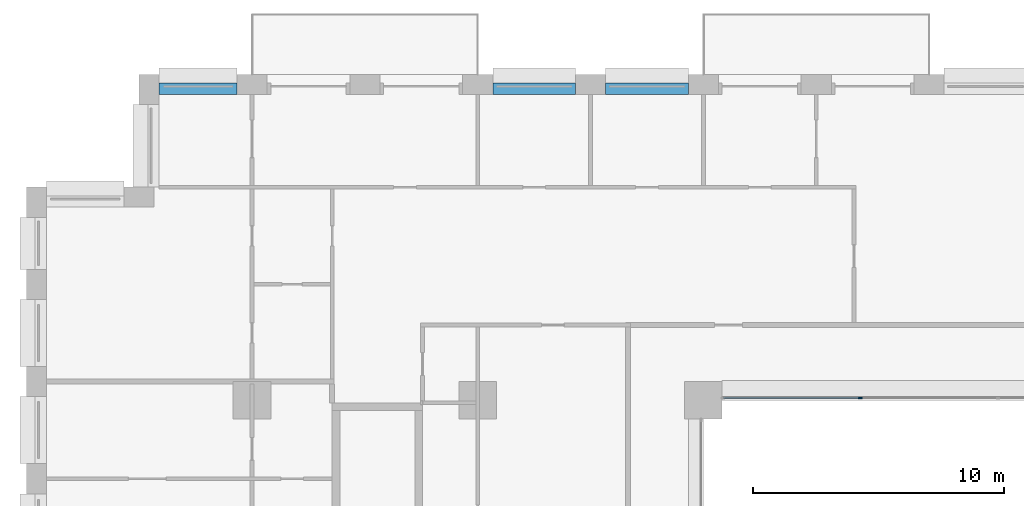
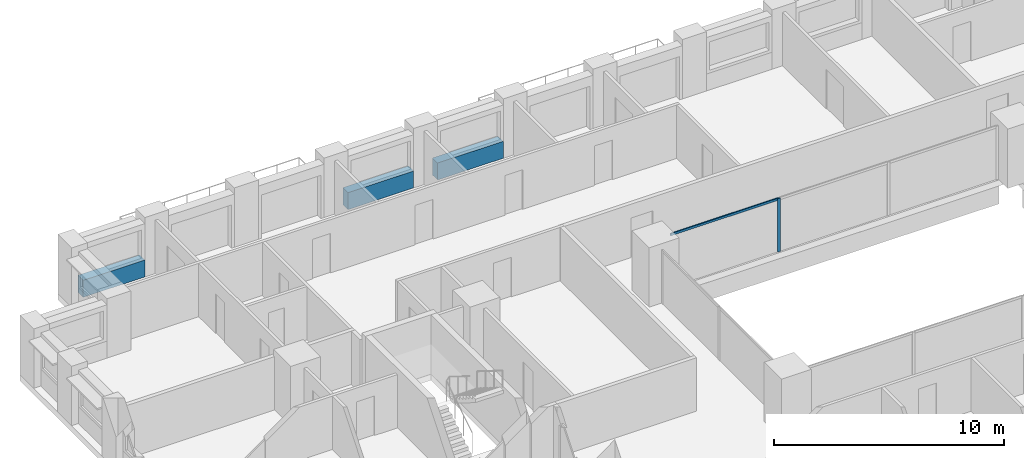
# One storey, part 6 of 21: 3 beams, 2 members, 1 element without a shape of its own.
"""IFC4 building model written with IfcOpenShell, lengths in metres."""

from ifc_helpers import new_model, si_unit, direction, frame, origin, origin_2d, place, context, subcontext, project, spatial, rectangle, extrude, material, layer, layer_set, material_profile, profile_set, type_object, element, aggregate, save


model = new_model("IFC4")

# Units and contexts
model_context = context("Model", 3, precision=1e-05, world=origin(), true_north=direction((0.0, 1.0)))
body_context = subcontext(model_context, "Body", "Model", "MODEL_VIEW")
ifc_project = project(units=[si_unit("LENGTHUNIT", "METRE"), si_unit("AREAUNIT", "SQUARE_METRE"), si_unit("VOLUMEUNIT", "CUBIC_METRE"), si_unit("PLANEANGLEUNIT", "RADIAN"), si_unit("MASSUNIT", "GRAM", prefix="KILO")], contexts=[model_context])

# Site, building, storey
site_placement = place(None, origin())
site = spatial("IfcSite", under=ifc_project, at=site_placement, CompositionType="ELEMENT")
building_placement = place(site_placement, origin())
building = spatial("IfcBuilding", under=site, at=building_placement, Name="Brigalow Station Residences", CompositionType="ELEMENT")
storey_placement = place(building_placement, frame((0.0, 0.0, 47.85009765625)))
storey = spatial("IfcBuildingStorey", under=building, at=storey_placement, Name="L13", CompositionType="ELEMENT", Elevation=47.85009765625)

# Curtain wall, members
ifc_material_1 = material(Name="Aluminium", Category="aluminium")
ifc_layer = layer(ifc_material_1, 0.14990234375)
ifc_layer_set = layer_set([ifc_layer], Name="ATRIUM FIRE-RATED GLAZING CURTAIN WALL")
curtain_wall_type = type_object("IfcCurtainWallType", Name="ATRIUM FIRE-RATED GLAZING CURTAIN WALL", PredefinedType="NOTDEFINED", material=ifc_layer_set)
curtain_wall_placement = place(storey_placement, origin())
curtain_wall = element("IfcCurtainWall", 1, at=curtain_wall_placement, inside=storey, type_object=curtain_wall_type, Name="L13/cw/atrium-N", PredefinedType="NOTDEFINED")
ifc_material_2 = material(Name="Aluminium", Category="aluminium")
ifc_material_profile_1 = material_profile(ifc_material_2, rectangle(XDim=0.06005859375, YDim=0.14990234375, at=origin_2d()), Name="ATRIUM FIRE-RATED GLAZING MULLION 60x150")
ifc_profile_set_1 = profile_set([ifc_material_profile_1], Name="Aluminium")
member_type_1 = type_object("IfcMemberType", Name="ATRIUM FIRE-RATED GLAZING MULLION 60x150", PredefinedType="MULLION", material=ifc_profile_set_1)
member_1_placement = place(storey_placement, frame((33.25, 35.60009765625, 0.0), z_axis=(0.0, 0.0, 1.0), x_axis=(0.0, -1.0, 0.0)))
member_1 = element("IfcMember", 2, at=member_1_placement, type_object=member_type_1, Name="L13/cw/atrium-N/M02", PredefinedType="MULLION", context=body_context, shape_type="SweptSolid", body=[
    extrude(rectangle(XDim=0.06005859375, YDim=0.14990234375, at=origin_2d()), origin(), (0.0, 0.0, 1.0), 2.829833984375),
])
ifc_material_3 = material(Name="Aluminium", Category="aluminium")
ifc_material_profile_2 = material_profile(ifc_material_3, rectangle(XDim=0.06005859375, YDim=0.1201171875, at=origin_2d()), Name="ATRIUM FIRE-RATED GLAZING TRANSOM 60x120")
ifc_profile_set_2 = profile_set([ifc_material_profile_2], Name="Aluminium")
member_type_2 = type_object("IfcMemberType", Name="ATRIUM FIRE-RATED GLAZING TRANSOM 60x120", PredefinedType="USERDEFINED", material=ifc_profile_set_2)
member_2_placement = place(storey_placement, frame((33.219970703125, 35.60009765625, 2.7998046875), z_axis=(-1.0, 0.0, 0.0), x_axis=(0.0, -1.0, 0.0)))
member_2 = element("IfcMember", 3, at=member_2_placement, type_object=member_type_2, Name="L13/cw/atrium-N/T02-00", ObjectType="TRANSOM", PredefinedType="USERDEFINED", context=body_context, shape_type="SweptSolid", body=[
    extrude(rectangle(XDim=0.06005859375, YDim=0.1201171875, at=origin_2d()), origin(), (0.0, 0.0, 1.0), 5.409912109375),
])
aggregate(curtain_wall, [member_1, member_2])

# Beams
ifc_material_4 = material(Name="Concrete C65", Category="concrete")
ifc_material_profile_3 = material_profile(ifc_material_4, rectangle(XDim=0.449951171875, YDim=0.89990234375, at=origin_2d()), Name="RC450x900")
ifc_profile_set_3 = profile_set([ifc_material_profile_3], Name="Concrete C65")
beam_type = type_object("IfcBeamType", Name="SPANDREL BEAM 450x900 C65", PredefinedType="SPANDREL", material=ifc_profile_set_3)
for number, where, z_axis, x_axis, name in (
    (4, (26.39990234375, 47.925048828125, 0.449951171875), (-1.0, 0.0, 0.0), (0.0, -1.0, 0.0), "L13/spandrel/W-L13-35"),
    (5, (21.89990234375, 47.925048828125, 0.449951171875), (-1.0, 0.0, 0.0), (0.0, -1.0, 0.0), "L13/spandrel/W-L13-36"),
):
    element("IfcBeam", number, at=place(storey_placement, frame(where, z_axis=z_axis, x_axis=x_axis)), inside=storey, type_object=beam_type, Name=name, PredefinedType="SPANDREL", context=body_context, shape_type="SweptSolid", body=[
        extrude(rectangle(XDim=0.449951171875, YDim=0.89990234375, at=origin_2d()), origin(), (0.0, 0.0, 1.0), 3.2998046875),
    ])
beam_placement = place(storey_placement, frame((8.39990234375, 47.925048828125, 0.449951171875), z_axis=(-1.0, 0.0, 0.0), x_axis=(0.0, -1.0, 0.0)))
element("IfcBeam", 6, at=beam_placement, inside=storey, type_object=beam_type, Name="L13/spandrel/W-L13-39", PredefinedType="SPANDREL", context=body_context, shape_type="SweptSolid", body=[
    extrude(rectangle(XDim=0.449951171875, YDim=0.89990234375, at=origin_2d()), origin(), (0.0, 0.0, 1.0), 3.099853515625),
])

save(model, "model.ifc")
